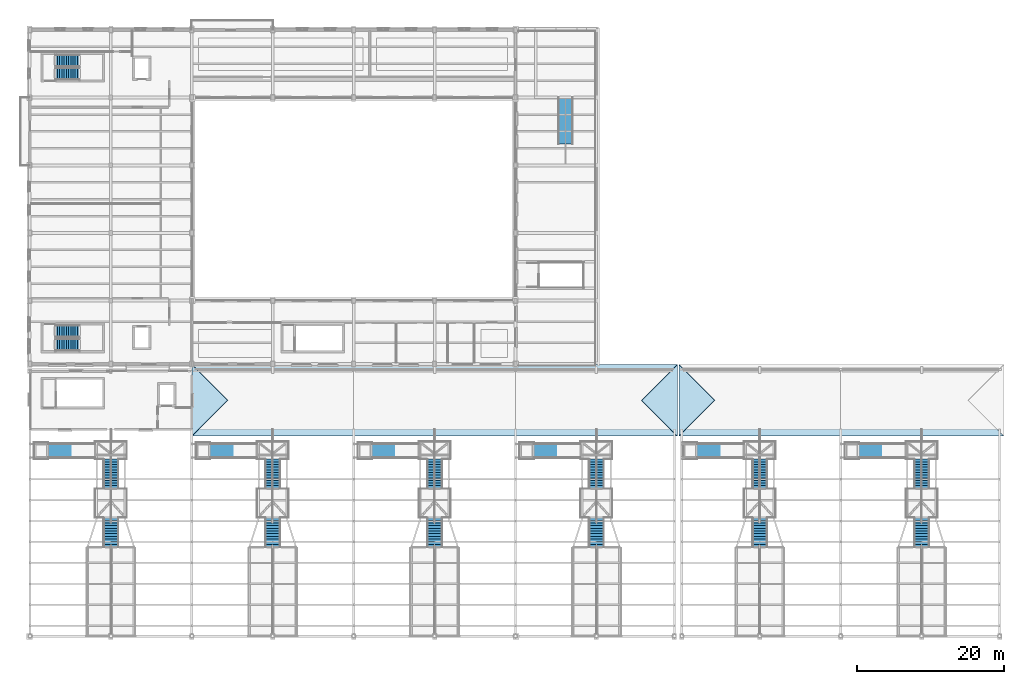
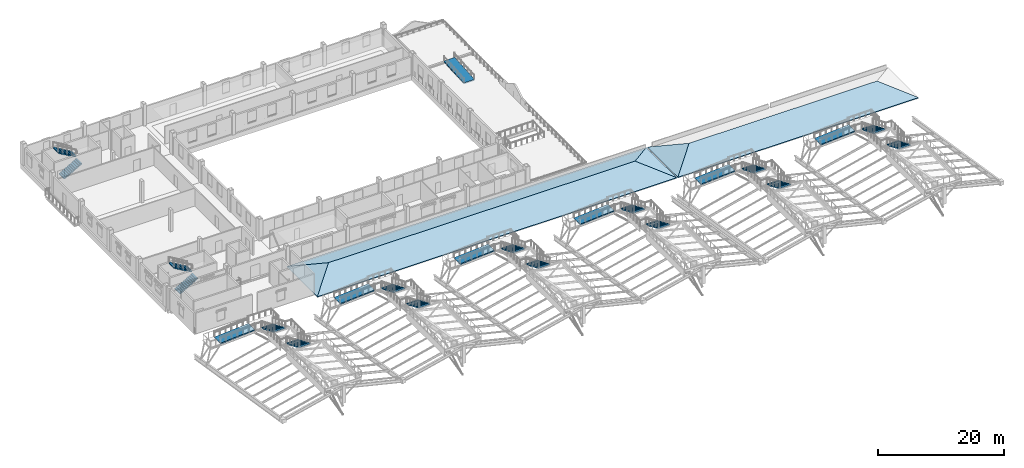
# One storey, part 28 of 43: 16 stair flights, 7 ramp flights, 6 roofs, 15 elements without a shape of their own.
"""IFC4 building model written with IfcOpenShell, lengths in metres."""

from ifc_helpers import new_model, si_unit, direction, frame, origin, place, context, subcontext, project, spatial, polyline, outline, extrude, material, layer, layer_set, type_object, element, aggregate, save


model = new_model("IFC4")

# Units and contexts
model_context = context("Model", 3, precision=1e-05, world=origin(), true_north=direction((0.0, 1.0)))
body_context = subcontext(model_context, "Body", "Model", "MODEL_VIEW")
ifc_project = project(units=[si_unit("LENGTHUNIT", "METRE"), si_unit("AREAUNIT", "SQUARE_METRE"), si_unit("VOLUMEUNIT", "CUBIC_METRE"), si_unit("PLANEANGLEUNIT", "RADIAN"), si_unit("MASSUNIT", "GRAM", prefix="KILO")], contexts=[model_context])

# Site, building, storey
site_placement = place(None, origin())
site = spatial("IfcSite", under=ifc_project, at=site_placement, CompositionType="ELEMENT")
building_placement = place(site_placement, origin())
building = spatial("IfcBuilding", under=site, at=building_placement, Name="Caurita Quay Ferry Terminal", CompositionType="ELEMENT")
storey_placement = place(building_placement, frame((0.0, 0.0, 14.10009765625)))
storey = spatial("IfcBuildingStorey", under=building, at=storey_placement, Name="L03", CompositionType="ELEMENT", Elevation=14.10009765625)

# Stair, stair flights
ifc_material_1 = material(Name="Reinforced concrete C35/45", Category="concrete")
stair_type_1 = type_object("IfcStairType", Name="STR-DL-03", PredefinedType="HALF_TURN_STAIR", material=ifc_material_1)
stair_1_placement = place(storey_placement, origin())
stair_1 = element("IfcStair", 1, at=stair_1_placement, inside=storey, type_object=stair_type_1, Name="L03 Protected Exit Stair ST-01", PredefinedType="HALF_TURN_STAIR")
stair_flight_type_1 = type_object("IfcStairFlightType", Name="FLT-DL-03", PredefinedType="STRAIGHT", material=ifc_material_1)
stair_flight_1_placement = place(storey_placement, frame((3.449951171875, 111.02490234375, 0.0), z_axis=(0.0, 0.0, 1.0), x_axis=(1.0, 0.0, 0.0)))
stair_flight_1 = element("IfcStairFlight", 2, at=stair_flight_1_placement, type_object=stair_flight_type_1, Name="ST-01 flight 1", NumberOfRisers=12, NumberOfTreads=11, PredefinedType="STRAIGHT", RiserHeight=0.175, TreadLength=0.3, context=body_context, shape_type="SweptSolid", body=[
    extrude(outline(polyline([(0.0, 0.0), (0.0, 0.175048828125), (0.300048828125, 0.175048828125), (0.300048828125, 0.35009765625), (0.60009765625, 0.35009765625), (0.60009765625, 0.52490234375), (0.89990234375, 0.52490234375), (0.89990234375, 0.699951171875), (1.199951171875, 0.699951171875), (1.199951171875, 0.875), (1.5, 0.875), (1.5, 1.050048828125), (1.800048828125, 1.050048828125), (1.800048828125, 1.22509765625), (2.10009765625, 1.22509765625), (2.10009765625, 1.39990234375), (2.39990234375, 1.39990234375), (2.39990234375, 1.574951171875), (2.699951171875, 1.574951171875), (2.699951171875, 1.75), (3.0, 1.75), (3.0, 1.925048828125), (3.300048828125, 1.925048828125), (3.300048828125, 2.10009765625), (3.300048828125, 1.75146484375), (0.297607421875, 0.0), (0.0, 0.0)])), frame((0.0, 0.824951171875, 0.0), z_axis=(0.0, -1.0, 0.0), x_axis=(1.0, 0.0, 0.0)), (0.0, 0.0, 1.0), 1.64990234375),
])
stair_flight_2_placement = place(storey_placement, frame((6.75, 112.8349609375, 2.099853515625), z_axis=(0.0, 0.0, 1.0), x_axis=(-1.0, 0.0, 0.0)))
stair_flight_2 = element("IfcStairFlight", 3, at=stair_flight_2_placement, type_object=stair_flight_type_1, Name="ST-01 flight 2", NumberOfRisers=12, NumberOfTreads=11, PredefinedType="STRAIGHT", RiserHeight=0.175, TreadLength=0.3, context=body_context, shape_type="SweptSolid", body=[
    extrude(outline(polyline([(0.0, 0.0), (0.0, 0.175048828125), (0.300048828125, 0.175048828125), (0.300048828125, 0.35009765625), (0.60009765625, 0.35009765625), (0.60009765625, 0.52490234375), (0.89990234375, 0.52490234375), (0.89990234375, 0.699951171875), (1.199951171875, 0.699951171875), (1.199951171875, 0.875), (1.5, 0.875), (1.5, 1.050048828125), (1.800048828125, 1.050048828125), (1.800048828125, 1.22509765625), (2.10009765625, 1.22509765625), (2.10009765625, 1.39990234375), (2.39990234375, 1.39990234375), (2.39990234375, 1.574951171875), (2.699951171875, 1.574951171875), (2.699951171875, 1.75), (3.0, 1.75), (3.0, 1.925048828125), (3.300048828125, 1.925048828125), (3.300048828125, 2.10009765625), (3.300048828125, 1.75146484375), (0.297607421875, 0.0), (0.0, 0.0)])), frame((0.0, 0.824951171875, 0.0), z_axis=(0.0, -1.0, 0.0), x_axis=(1.0, 0.0, 0.0)), (0.0, 0.0, 1.0), 1.64990234375),
])
aggregate(stair_1, [stair_flight_1, stair_flight_2])

stair_2_placement = place(storey_placement, origin())
stair_2 = element("IfcStair", 4, at=stair_2_placement, inside=storey, type_object=stair_type_1, Name="L03 Protected Exit Stair ST-02", PredefinedType="HALF_TURN_STAIR")
stair_flight_3_placement = place(storey_placement, frame((3.449951171875, 74.22509765625, 0.0), z_axis=(0.0, 0.0, 1.0), x_axis=(1.0, 0.0, 0.0)))
stair_flight_3 = element("IfcStairFlight", 5, at=stair_flight_3_placement, type_object=stair_flight_type_1, Name="ST-02 flight 1", NumberOfRisers=12, NumberOfTreads=11, PredefinedType="STRAIGHT", RiserHeight=0.175, TreadLength=0.3, context=body_context, shape_type="SweptSolid", body=[
    extrude(outline(polyline([(0.0, 0.0), (0.0, 0.175048828125), (0.300048828125, 0.175048828125), (0.300048828125, 0.35009765625), (0.60009765625, 0.35009765625), (0.60009765625, 0.52490234375), (0.89990234375, 0.52490234375), (0.89990234375, 0.699951171875), (1.199951171875, 0.699951171875), (1.199951171875, 0.875), (1.5, 0.875), (1.5, 1.050048828125), (1.800048828125, 1.050048828125), (1.800048828125, 1.22509765625), (2.10009765625, 1.22509765625), (2.10009765625, 1.39990234375), (2.39990234375, 1.39990234375), (2.39990234375, 1.574951171875), (2.699951171875, 1.574951171875), (2.699951171875, 1.75), (3.0, 1.75), (3.0, 1.925048828125), (3.300048828125, 1.925048828125), (3.300048828125, 2.10009765625), (3.300048828125, 1.75146484375), (0.297607421875, 0.0), (0.0, 0.0)])), frame((0.0, 0.824951171875, 0.0), z_axis=(0.0, -1.0, 0.0), x_axis=(1.0, 0.0, 0.0)), (0.0, 0.0, 1.0), 1.64990234375),
])
stair_flight_4_placement = place(storey_placement, frame((6.75, 76.034912109375, 2.099853515625), z_axis=(0.0, 0.0, 1.0), x_axis=(-1.0, 0.0, 0.0)))
stair_flight_4 = element("IfcStairFlight", 6, at=stair_flight_4_placement, type_object=stair_flight_type_1, Name="ST-02 flight 2", NumberOfRisers=12, NumberOfTreads=11, PredefinedType="STRAIGHT", RiserHeight=0.175, TreadLength=0.3, context=body_context, shape_type="SweptSolid", body=[
    extrude(outline(polyline([(0.0, 0.0), (0.0, 0.175048828125), (0.300048828125, 0.175048828125), (0.300048828125, 0.35009765625), (0.60009765625, 0.35009765625), (0.60009765625, 0.52490234375), (0.89990234375, 0.52490234375), (0.89990234375, 0.699951171875), (1.199951171875, 0.699951171875), (1.199951171875, 0.875), (1.5, 0.875), (1.5, 1.050048828125), (1.800048828125, 1.050048828125), (1.800048828125, 1.22509765625), (2.10009765625, 1.22509765625), (2.10009765625, 1.39990234375), (2.39990234375, 1.39990234375), (2.39990234375, 1.574951171875), (2.699951171875, 1.574951171875), (2.699951171875, 1.75), (3.0, 1.75), (3.0, 1.925048828125), (3.300048828125, 1.925048828125), (3.300048828125, 2.10009765625), (3.300048828125, 1.75146484375), (0.297607421875, 0.0), (0.0, 0.0)])), frame((0.0, 0.824951171875, 0.0), z_axis=(0.0, -1.0, 0.0), x_axis=(1.0, 0.0, 0.0)), (0.0, 0.0, 1.0), 1.64990234375),
])
aggregate(stair_2, [stair_flight_3, stair_flight_4])

stair_type_2 = type_object("IfcStairType", Name="STR-PK-01", PredefinedType="STRAIGHT_RUN_STAIR", material=ifc_material_1)
stair_3_placement = place(storey_placement, origin())
stair_3 = element("IfcStair", 7, at=stair_3_placement, inside=storey, type_object=stair_type_2, Name="Folded Roof Bay 1 Lookout Stair ST-15", PredefinedType="STRAIGHT_RUN_STAIR")
stair_flight_type_2 = type_object("IfcStairFlightType", Name="FLT-PK-01", PredefinedType="STRAIGHT", material=ifc_material_1)
stair_flight_5_placement = place(storey_placement, frame((11.0, 58.64990234375, 0.099853515625), z_axis=(0.0, 0.0, 1.0), x_axis=(0.0, -1.0, 0.0)))
stair_flight_5 = element("IfcStairFlight", 8, at=stair_flight_5_placement, type_object=stair_flight_type_2, Name="ST-15 flight 1", NumberOfRisers=12, NumberOfTreads=11, PredefinedType="STRAIGHT", RiserHeight=0.15, TreadLength=0.36, context=body_context, shape_type="SweptSolid", body=[
    extrude(outline(polyline([(0.0, 0.0), (0.0, 0.14990234375), (0.360107421875, 0.14990234375), (0.360107421875, 0.300048828125), (0.719970703125, 0.300048828125), (0.719970703125, 0.449951171875), (1.080078125, 0.449951171875), (1.080078125, 0.60009765625), (1.43994140625, 0.60009765625), (1.43994140625, 0.75), (1.800048828125, 0.75), (1.800048828125, 0.89990234375), (2.159912109375, 0.89990234375), (2.159912109375, 1.050048828125), (2.52001953125, 1.050048828125), (2.52001953125, 1.199951171875), (2.8798828125, 1.199951171875), (2.8798828125, 1.35009765625), (3.239990234375, 1.35009765625), (3.239990234375, 1.5), (3.60009765625, 1.5), (3.60009765625, 1.64990234375), (3.9599609375, 1.64990234375), (3.9599609375, 1.800048828125), (3.9599609375, 1.476806640625), (0.415771484375, 0.0), (0.0, 0.0)])), frame((0.0, 1.050048828125, 0.0), z_axis=(0.0, -1.0, 0.0), x_axis=(1.0, 0.0, 0.0)), (0.0, 0.0, 1.0), 2.10009765625),
])
stair_flight_6_placement = place(storey_placement, frame((11.0, 50.68994140625, 1.89990234375), z_axis=(0.0, 0.0, 1.0), x_axis=(0.0, -1.0, 0.0)))
stair_flight_6 = element("IfcStairFlight", 9, at=stair_flight_6_placement, type_object=stair_flight_type_2, Name="ST-15 flight 2", NumberOfRisers=12, NumberOfTreads=11, PredefinedType="STRAIGHT", RiserHeight=0.15, TreadLength=0.36, context=body_context, shape_type="SweptSolid", body=[
    extrude(outline(polyline([(0.0, 0.0), (0.0, 0.14990234375), (0.360107421875, 0.14990234375), (0.360107421875, 0.300048828125), (0.719970703125, 0.300048828125), (0.719970703125, 0.449951171875), (1.080078125, 0.449951171875), (1.080078125, 0.60009765625), (1.43994140625, 0.60009765625), (1.43994140625, 0.75), (1.800048828125, 0.75), (1.800048828125, 0.89990234375), (2.159912109375, 0.89990234375), (2.159912109375, 1.050048828125), (2.52001953125, 1.050048828125), (2.52001953125, 1.199951171875), (2.8798828125, 1.199951171875), (2.8798828125, 1.35009765625), (3.239990234375, 1.35009765625), (3.239990234375, 1.5), (3.60009765625, 1.5), (3.60009765625, 1.64990234375), (3.9599609375, 1.64990234375), (3.9599609375, 1.800048828125), (3.9599609375, 1.476806640625), (0.415771484375, 0.0), (0.0, 0.0)])), frame((0.0, 1.050048828125, 0.0), z_axis=(0.0, -1.0, 0.0), x_axis=(1.0, 0.0, 0.0)), (0.0, 0.0, 1.0), 2.10009765625),
])
aggregate(stair_3, [stair_flight_5, stair_flight_6])

stair_4_placement = place(storey_placement, origin())
stair_4 = element("IfcStair", 10, at=stair_4_placement, inside=storey, type_object=stair_type_2, Name="Folded Roof Bay 2 Lookout Stair ST-16", PredefinedType="STRAIGHT_RUN_STAIR")
stair_flight_7_placement = place(storey_placement, frame((33.0, 58.64990234375, 0.099853515625), z_axis=(0.0, 0.0, 1.0), x_axis=(0.0, -1.0, 0.0)))
stair_flight_7 = element("IfcStairFlight", 11, at=stair_flight_7_placement, type_object=stair_flight_type_2, Name="ST-16 flight 1", NumberOfRisers=12, NumberOfTreads=11, PredefinedType="STRAIGHT", RiserHeight=0.15, TreadLength=0.36, context=body_context, shape_type="SweptSolid", body=[
    extrude(outline(polyline([(0.0, 0.0), (0.0, 0.14990234375), (0.360107421875, 0.14990234375), (0.360107421875, 0.300048828125), (0.719970703125, 0.300048828125), (0.719970703125, 0.449951171875), (1.080078125, 0.449951171875), (1.080078125, 0.60009765625), (1.43994140625, 0.60009765625), (1.43994140625, 0.75), (1.800048828125, 0.75), (1.800048828125, 0.89990234375), (2.159912109375, 0.89990234375), (2.159912109375, 1.050048828125), (2.52001953125, 1.050048828125), (2.52001953125, 1.199951171875), (2.8798828125, 1.199951171875), (2.8798828125, 1.35009765625), (3.239990234375, 1.35009765625), (3.239990234375, 1.5), (3.60009765625, 1.5), (3.60009765625, 1.64990234375), (3.9599609375, 1.64990234375), (3.9599609375, 1.800048828125), (3.9599609375, 1.476806640625), (0.415771484375, 0.0), (0.0, 0.0)])), frame((0.0, 1.050048828125, 0.0), z_axis=(0.0, -1.0, 0.0), x_axis=(1.0, 0.0, 0.0)), (0.0, 0.0, 1.0), 2.10009765625),
])
stair_flight_8_placement = place(storey_placement, frame((33.0, 50.68994140625, 1.89990234375), z_axis=(0.0, 0.0, 1.0), x_axis=(0.0, -1.0, 0.0)))
stair_flight_8 = element("IfcStairFlight", 12, at=stair_flight_8_placement, type_object=stair_flight_type_2, Name="ST-16 flight 2", NumberOfRisers=12, NumberOfTreads=11, PredefinedType="STRAIGHT", RiserHeight=0.15, TreadLength=0.36, context=body_context, shape_type="SweptSolid", body=[
    extrude(outline(polyline([(0.0, 0.0), (0.0, 0.14990234375), (0.360107421875, 0.14990234375), (0.360107421875, 0.300048828125), (0.719970703125, 0.300048828125), (0.719970703125, 0.449951171875), (1.080078125, 0.449951171875), (1.080078125, 0.60009765625), (1.43994140625, 0.60009765625), (1.43994140625, 0.75), (1.800048828125, 0.75), (1.800048828125, 0.89990234375), (2.159912109375, 0.89990234375), (2.159912109375, 1.050048828125), (2.52001953125, 1.050048828125), (2.52001953125, 1.199951171875), (2.8798828125, 1.199951171875), (2.8798828125, 1.35009765625), (3.239990234375, 1.35009765625), (3.239990234375, 1.5), (3.60009765625, 1.5), (3.60009765625, 1.64990234375), (3.9599609375, 1.64990234375), (3.9599609375, 1.800048828125), (3.9599609375, 1.476806640625), (0.415771484375, 0.0), (0.0, 0.0)])), frame((0.0, 1.050048828125, 0.0), z_axis=(0.0, -1.0, 0.0), x_axis=(1.0, 0.0, 0.0)), (0.0, 0.0, 1.0), 2.10009765625),
])
aggregate(stair_4, [stair_flight_7, stair_flight_8])

stair_5_placement = place(storey_placement, origin())
stair_5 = element("IfcStair", 13, at=stair_5_placement, inside=storey, type_object=stair_type_2, Name="Folded Roof Bay 3 Lookout Stair ST-17", PredefinedType="STRAIGHT_RUN_STAIR")
stair_flight_9_placement = place(storey_placement, frame((55.0, 58.64990234375, 0.099853515625), z_axis=(0.0, 0.0, 1.0), x_axis=(0.0, -1.0, 0.0)))
stair_flight_9 = element("IfcStairFlight", 14, at=stair_flight_9_placement, type_object=stair_flight_type_2, Name="ST-17 flight 1", NumberOfRisers=12, NumberOfTreads=11, PredefinedType="STRAIGHT", RiserHeight=0.15, TreadLength=0.36, context=body_context, shape_type="SweptSolid", body=[
    extrude(outline(polyline([(0.0, 0.0), (0.0, 0.14990234375), (0.360107421875, 0.14990234375), (0.360107421875, 0.300048828125), (0.719970703125, 0.300048828125), (0.719970703125, 0.449951171875), (1.080078125, 0.449951171875), (1.080078125, 0.60009765625), (1.43994140625, 0.60009765625), (1.43994140625, 0.75), (1.800048828125, 0.75), (1.800048828125, 0.89990234375), (2.159912109375, 0.89990234375), (2.159912109375, 1.050048828125), (2.52001953125, 1.050048828125), (2.52001953125, 1.199951171875), (2.8798828125, 1.199951171875), (2.8798828125, 1.35009765625), (3.239990234375, 1.35009765625), (3.239990234375, 1.5), (3.60009765625, 1.5), (3.60009765625, 1.64990234375), (3.9599609375, 1.64990234375), (3.9599609375, 1.800048828125), (3.9599609375, 1.476806640625), (0.415771484375, 0.0), (0.0, 0.0)])), frame((0.0, 1.050048828125, 0.0), z_axis=(0.0, -1.0, 0.0), x_axis=(1.0, 0.0, 0.0)), (0.0, 0.0, 1.0), 2.10009765625),
])
stair_flight_10_placement = place(storey_placement, frame((55.0, 50.68994140625, 1.89990234375), z_axis=(0.0, 0.0, 1.0), x_axis=(0.0, -1.0, 0.0)))
stair_flight_10 = element("IfcStairFlight", 15, at=stair_flight_10_placement, type_object=stair_flight_type_2, Name="ST-17 flight 2", NumberOfRisers=12, NumberOfTreads=11, PredefinedType="STRAIGHT", RiserHeight=0.15, TreadLength=0.36, context=body_context, shape_type="SweptSolid", body=[
    extrude(outline(polyline([(0.0, 0.0), (0.0, 0.14990234375), (0.360107421875, 0.14990234375), (0.360107421875, 0.300048828125), (0.719970703125, 0.300048828125), (0.719970703125, 0.449951171875), (1.080078125, 0.449951171875), (1.080078125, 0.60009765625), (1.43994140625, 0.60009765625), (1.43994140625, 0.75), (1.800048828125, 0.75), (1.800048828125, 0.89990234375), (2.159912109375, 0.89990234375), (2.159912109375, 1.050048828125), (2.52001953125, 1.050048828125), (2.52001953125, 1.199951171875), (2.8798828125, 1.199951171875), (2.8798828125, 1.35009765625), (3.239990234375, 1.35009765625), (3.239990234375, 1.5), (3.60009765625, 1.5), (3.60009765625, 1.64990234375), (3.9599609375, 1.64990234375), (3.9599609375, 1.800048828125), (3.9599609375, 1.476806640625), (0.415771484375, 0.0), (0.0, 0.0)])), frame((0.0, 1.050048828125, 0.0), z_axis=(0.0, -1.0, 0.0), x_axis=(1.0, 0.0, 0.0)), (0.0, 0.0, 1.0), 2.10009765625),
])
aggregate(stair_5, [stair_flight_9, stair_flight_10])

stair_6_placement = place(storey_placement, origin())
stair_6 = element("IfcStair", 16, at=stair_6_placement, inside=storey, type_object=stair_type_2, Name="Folded Roof Bay 4 Lookout Stair ST-18", PredefinedType="STRAIGHT_RUN_STAIR")
stair_flight_11_placement = place(storey_placement, frame((77.0, 58.64990234375, 0.099853515625), z_axis=(0.0, 0.0, 1.0), x_axis=(0.0, -1.0, 0.0)))
stair_flight_11 = element("IfcStairFlight", 17, at=stair_flight_11_placement, type_object=stair_flight_type_2, Name="ST-18 flight 1", NumberOfRisers=12, NumberOfTreads=11, PredefinedType="STRAIGHT", RiserHeight=0.15, TreadLength=0.36, context=body_context, shape_type="SweptSolid", body=[
    extrude(outline(polyline([(0.0, 0.0), (0.0, 0.14990234375), (0.360107421875, 0.14990234375), (0.360107421875, 0.300048828125), (0.719970703125, 0.300048828125), (0.719970703125, 0.449951171875), (1.080078125, 0.449951171875), (1.080078125, 0.60009765625), (1.43994140625, 0.60009765625), (1.43994140625, 0.75), (1.800048828125, 0.75), (1.800048828125, 0.89990234375), (2.159912109375, 0.89990234375), (2.159912109375, 1.050048828125), (2.52001953125, 1.050048828125), (2.52001953125, 1.199951171875), (2.8798828125, 1.199951171875), (2.8798828125, 1.35009765625), (3.239990234375, 1.35009765625), (3.239990234375, 1.5), (3.60009765625, 1.5), (3.60009765625, 1.64990234375), (3.9599609375, 1.64990234375), (3.9599609375, 1.800048828125), (3.9599609375, 1.476806640625), (0.415771484375, 0.0), (0.0, 0.0)])), frame((0.0, 1.050048828125, 0.0), z_axis=(0.0, -1.0, 0.0), x_axis=(1.0, 0.0, 0.0)), (0.0, 0.0, 1.0), 2.10009765625),
])
stair_flight_12_placement = place(storey_placement, frame((77.0, 50.68994140625, 1.89990234375), z_axis=(0.0, 0.0, 1.0), x_axis=(0.0, -1.0, 0.0)))
stair_flight_12 = element("IfcStairFlight", 18, at=stair_flight_12_placement, type_object=stair_flight_type_2, Name="ST-18 flight 2", NumberOfRisers=12, NumberOfTreads=11, PredefinedType="STRAIGHT", RiserHeight=0.15, TreadLength=0.36, context=body_context, shape_type="SweptSolid", body=[
    extrude(outline(polyline([(0.0, 0.0), (0.0, 0.14990234375), (0.360107421875, 0.14990234375), (0.360107421875, 0.300048828125), (0.719970703125, 0.300048828125), (0.719970703125, 0.449951171875), (1.080078125, 0.449951171875), (1.080078125, 0.60009765625), (1.43994140625, 0.60009765625), (1.43994140625, 0.75), (1.800048828125, 0.75), (1.800048828125, 0.89990234375), (2.159912109375, 0.89990234375), (2.159912109375, 1.050048828125), (2.52001953125, 1.050048828125), (2.52001953125, 1.199951171875), (2.8798828125, 1.199951171875), (2.8798828125, 1.35009765625), (3.239990234375, 1.35009765625), (3.239990234375, 1.5), (3.60009765625, 1.5), (3.60009765625, 1.64990234375), (3.9599609375, 1.64990234375), (3.9599609375, 1.800048828125), (3.9599609375, 1.476806640625), (0.415771484375, 0.0), (0.0, 0.0)])), frame((0.0, 1.050048828125, 0.0), z_axis=(0.0, -1.0, 0.0), x_axis=(1.0, 0.0, 0.0)), (0.0, 0.0, 1.0), 2.10009765625),
])
aggregate(stair_6, [stair_flight_11, stair_flight_12])

stair_7_placement = place(storey_placement, origin())
stair_7 = element("IfcStair", 19, at=stair_7_placement, inside=storey, type_object=stair_type_2, Name="Folded Roof Bay 5 Lookout Stair ST-19", PredefinedType="STRAIGHT_RUN_STAIR")
stair_flight_13_placement = place(storey_placement, frame((99.199951171875, 58.64990234375, 0.099853515625), z_axis=(0.0, 0.0, 1.0), x_axis=(0.0, -1.0, 0.0)))
stair_flight_13 = element("IfcStairFlight", 20, at=stair_flight_13_placement, type_object=stair_flight_type_2, Name="ST-19 flight 1", NumberOfRisers=12, NumberOfTreads=11, PredefinedType="STRAIGHT", RiserHeight=0.15, TreadLength=0.36, context=body_context, shape_type="SweptSolid", body=[
    extrude(outline(polyline([(0.0, 0.0), (0.0, 0.14990234375), (0.360107421875, 0.14990234375), (0.360107421875, 0.300048828125), (0.719970703125, 0.300048828125), (0.719970703125, 0.449951171875), (1.080078125, 0.449951171875), (1.080078125, 0.60009765625), (1.43994140625, 0.60009765625), (1.43994140625, 0.75), (1.800048828125, 0.75), (1.800048828125, 0.89990234375), (2.159912109375, 0.89990234375), (2.159912109375, 1.050048828125), (2.52001953125, 1.050048828125), (2.52001953125, 1.199951171875), (2.8798828125, 1.199951171875), (2.8798828125, 1.35009765625), (3.239990234375, 1.35009765625), (3.239990234375, 1.5), (3.60009765625, 1.5), (3.60009765625, 1.64990234375), (3.9599609375, 1.64990234375), (3.9599609375, 1.800048828125), (3.9599609375, 1.476806640625), (0.415771484375, 0.0), (0.0, 0.0)])), frame((0.0, 1.050048828125, 0.0), z_axis=(0.0, -1.0, 0.0), x_axis=(1.0, 0.0, 0.0)), (0.0, 0.0, 1.0), 2.10009765625),
])
stair_flight_14_placement = place(storey_placement, frame((99.199951171875, 50.68994140625, 1.89990234375), z_axis=(0.0, 0.0, 1.0), x_axis=(0.0, -1.0, 0.0)))
stair_flight_14 = element("IfcStairFlight", 21, at=stair_flight_14_placement, type_object=stair_flight_type_2, Name="ST-19 flight 2", NumberOfRisers=12, NumberOfTreads=11, PredefinedType="STRAIGHT", RiserHeight=0.15, TreadLength=0.36, context=body_context, shape_type="SweptSolid", body=[
    extrude(outline(polyline([(0.0, 0.0), (0.0, 0.14990234375), (0.360107421875, 0.14990234375), (0.360107421875, 0.300048828125), (0.719970703125, 0.300048828125), (0.719970703125, 0.449951171875), (1.080078125, 0.449951171875), (1.080078125, 0.60009765625), (1.43994140625, 0.60009765625), (1.43994140625, 0.75), (1.800048828125, 0.75), (1.800048828125, 0.89990234375), (2.159912109375, 0.89990234375), (2.159912109375, 1.050048828125), (2.52001953125, 1.050048828125), (2.52001953125, 1.199951171875), (2.8798828125, 1.199951171875), (2.8798828125, 1.35009765625), (3.239990234375, 1.35009765625), (3.239990234375, 1.5), (3.60009765625, 1.5), (3.60009765625, 1.64990234375), (3.9599609375, 1.64990234375), (3.9599609375, 1.800048828125), (3.9599609375, 1.476806640625), (0.415771484375, 0.0), (0.0, 0.0)])), frame((0.0, 1.050048828125, 0.0), z_axis=(0.0, -1.0, 0.0), x_axis=(1.0, 0.0, 0.0)), (0.0, 0.0, 1.0), 2.10009765625),
])
aggregate(stair_7, [stair_flight_13, stair_flight_14])

stair_8_placement = place(storey_placement, origin())
stair_8 = element("IfcStair", 22, at=stair_8_placement, inside=storey, type_object=stair_type_2, Name="Folded Roof Bay 6 Lookout Stair ST-20", PredefinedType="STRAIGHT_RUN_STAIR")
stair_flight_15_placement = place(storey_placement, frame((121.199951171875, 58.64990234375, 0.099853515625), z_axis=(0.0, 0.0, 1.0), x_axis=(0.0, -1.0, 0.0)))
stair_flight_15 = element("IfcStairFlight", 23, at=stair_flight_15_placement, type_object=stair_flight_type_2, Name="ST-20 flight 1", NumberOfRisers=12, NumberOfTreads=11, PredefinedType="STRAIGHT", RiserHeight=0.15, TreadLength=0.36, context=body_context, shape_type="SweptSolid", body=[
    extrude(outline(polyline([(0.0, 0.0), (0.0, 0.14990234375), (0.360107421875, 0.14990234375), (0.360107421875, 0.300048828125), (0.719970703125, 0.300048828125), (0.719970703125, 0.449951171875), (1.080078125, 0.449951171875), (1.080078125, 0.60009765625), (1.43994140625, 0.60009765625), (1.43994140625, 0.75), (1.800048828125, 0.75), (1.800048828125, 0.89990234375), (2.159912109375, 0.89990234375), (2.159912109375, 1.050048828125), (2.52001953125, 1.050048828125), (2.52001953125, 1.199951171875), (2.8798828125, 1.199951171875), (2.8798828125, 1.35009765625), (3.239990234375, 1.35009765625), (3.239990234375, 1.5), (3.60009765625, 1.5), (3.60009765625, 1.64990234375), (3.9599609375, 1.64990234375), (3.9599609375, 1.800048828125), (3.9599609375, 1.476806640625), (0.415771484375, 0.0), (0.0, 0.0)])), frame((0.0, 1.050048828125, 0.0), z_axis=(0.0, -1.0, 0.0), x_axis=(1.0, 0.0, 0.0)), (0.0, 0.0, 1.0), 2.10009765625),
])
stair_flight_16_placement = place(storey_placement, frame((121.199951171875, 50.68994140625, 1.89990234375), z_axis=(0.0, 0.0, 1.0), x_axis=(0.0, -1.0, 0.0)))
stair_flight_16 = element("IfcStairFlight", 24, at=stair_flight_16_placement, type_object=stair_flight_type_2, Name="ST-20 flight 2", NumberOfRisers=12, NumberOfTreads=11, PredefinedType="STRAIGHT", RiserHeight=0.15, TreadLength=0.36, context=body_context, shape_type="SweptSolid", body=[
    extrude(outline(polyline([(0.0, 0.0), (0.0, 0.14990234375), (0.360107421875, 0.14990234375), (0.360107421875, 0.300048828125), (0.719970703125, 0.300048828125), (0.719970703125, 0.449951171875), (1.080078125, 0.449951171875), (1.080078125, 0.60009765625), (1.43994140625, 0.60009765625), (1.43994140625, 0.75), (1.800048828125, 0.75), (1.800048828125, 0.89990234375), (2.159912109375, 0.89990234375), (2.159912109375, 1.050048828125), (2.52001953125, 1.050048828125), (2.52001953125, 1.199951171875), (2.8798828125, 1.199951171875), (2.8798828125, 1.35009765625), (3.239990234375, 1.35009765625), (3.239990234375, 1.5), (3.60009765625, 1.5), (3.60009765625, 1.64990234375), (3.9599609375, 1.64990234375), (3.9599609375, 1.800048828125), (3.9599609375, 1.476806640625), (0.415771484375, 0.0), (0.0, 0.0)])), frame((0.0, 1.050048828125, 0.0), z_axis=(0.0, -1.0, 0.0), x_axis=(1.0, 0.0, 0.0)), (0.0, 0.0, 1.0), 2.10009765625),
])
aggregate(stair_8, [stair_flight_15, stair_flight_16])

# Ramp, ramp flight
ramp_type = type_object("IfcRampType", Name="RMP-ASM-3", PredefinedType="STRAIGHT_RUN_RAMP", material=ifc_material_1)
ramp_1_placement = place(storey_placement, origin())
ramp_1 = element("IfcRamp", 25, at=ramp_1_placement, inside=storey, type_object=ramp_type, Name="Waterside Lookout Accessible Slope Ramp", PredefinedType="STRAIGHT_RUN_RAMP")
ramp_flight_type = type_object("IfcRampFlightType", Name="RMP-FLT-3", PredefinedType="STRAIGHT", material=ifc_material_1)
ramp_flight_1_placement = place(storey_placement, frame((72.800048828125, 101.5, 0.0), z_axis=(0.0, 0.0, 1.0), x_axis=(0.0, 1.0, 0.0)))
ramp_flight_1 = element("IfcRampFlight", 26, at=ramp_flight_1_placement, type_object=ramp_flight_type, Name="Waterside Lookout Accessible Slope Ramp Flight 1", PredefinedType="STRAIGHT", context=body_context, shape_type="SweptSolid", body=[
    extrude(outline(polyline([(0.0, 0.0), (0.0, -0.219970703125), (6.300048828125, 0.22998046875), (6.300048828125, 0.449951171875), (0.0, 0.0)])), frame((0.0, 1.0, 0.0), z_axis=(0.0, -1.0, 0.0), x_axis=(1.0, 0.0, 0.0)), (0.0, 0.0, 1.0), 2.0),
])
aggregate(ramp_1, [ramp_flight_1])

ramp_2_placement = place(storey_placement, origin())
ramp_2 = element("IfcRamp", 27, at=ramp_2_placement, inside=storey, type_object=ramp_type, Name="Folded Roof Bay 1 Accessible Lookout Ramp", PredefinedType="STRAIGHT_RUN_RAMP")
ramp_flight_2_placement = place(storey_placement, frame((2.5, 59.800048828125, -0.35009765625), z_axis=(0.0, 0.0, 1.0), x_axis=(1.0, 0.0, 0.0)))
ramp_flight_2 = element("IfcRampFlight", 28, at=ramp_flight_2_placement, type_object=ramp_flight_type, Name="Folded Roof Bay 1 Accessible Lookout Ramp Flight 1", PredefinedType="STRAIGHT", context=body_context, shape_type="SweptSolid", body=[
    extrude(outline(polyline([(0.0, 0.0), (0.0, -0.219970703125), (6.300048828125, 0.22998046875), (6.300048828125, 0.449951171875), (0.0, 0.0)])), frame((0.0, 1.0, 0.0), z_axis=(0.0, -1.0, 0.0), x_axis=(1.0, 0.0, 0.0)), (0.0, 0.0, 1.0), 2.0),
])
aggregate(ramp_2, [ramp_flight_2])

ramp_3_placement = place(storey_placement, origin())
ramp_3 = element("IfcRamp", 29, at=ramp_3_placement, inside=storey, type_object=ramp_type, Name="Folded Roof Bay 2 Accessible Lookout Ramp", PredefinedType="STRAIGHT_RUN_RAMP")
ramp_flight_3_placement = place(storey_placement, frame((24.5, 59.800048828125, -0.35009765625), z_axis=(0.0, 0.0, 1.0), x_axis=(1.0, 0.0, 0.0)))
ramp_flight_3 = element("IfcRampFlight", 30, at=ramp_flight_3_placement, type_object=ramp_flight_type, Name="Folded Roof Bay 2 Accessible Lookout Ramp Flight 1", PredefinedType="STRAIGHT", context=body_context, shape_type="SweptSolid", body=[
    extrude(outline(polyline([(0.0, 0.0), (0.0, -0.219970703125), (6.300048828125, 0.22998046875), (6.300048828125, 0.449951171875), (0.0, 0.0)])), frame((0.0, 1.0, 0.0), z_axis=(0.0, -1.0, 0.0), x_axis=(1.0, 0.0, 0.0)), (0.0, 0.0, 1.0), 2.0),
])
aggregate(ramp_3, [ramp_flight_3])

ramp_4_placement = place(storey_placement, origin())
ramp_4 = element("IfcRamp", 31, at=ramp_4_placement, inside=storey, type_object=ramp_type, Name="Folded Roof Bay 3 Accessible Lookout Ramp", PredefinedType="STRAIGHT_RUN_RAMP")
ramp_flight_4_placement = place(storey_placement, frame((46.5, 59.800048828125, -0.35009765625), z_axis=(0.0, 0.0, 1.0), x_axis=(1.0, 0.0, 0.0)))
ramp_flight_4 = element("IfcRampFlight", 32, at=ramp_flight_4_placement, type_object=ramp_flight_type, Name="Folded Roof Bay 3 Accessible Lookout Ramp Flight 1", PredefinedType="STRAIGHT", context=body_context, shape_type="SweptSolid", body=[
    extrude(outline(polyline([(0.0, 0.0), (0.0, -0.219970703125), (6.300048828125, 0.22998046875), (6.300048828125, 0.449951171875), (0.0, 0.0)])), frame((0.0, 1.0, 0.0), z_axis=(0.0, -1.0, 0.0), x_axis=(1.0, 0.0, 0.0)), (0.0, 0.0, 1.0), 2.0),
])
aggregate(ramp_4, [ramp_flight_4])

ramp_5_placement = place(storey_placement, origin())
ramp_5 = element("IfcRamp", 33, at=ramp_5_placement, inside=storey, type_object=ramp_type, Name="Folded Roof Bay 4 Accessible Lookout Ramp", PredefinedType="STRAIGHT_RUN_RAMP")
ramp_flight_5_placement = place(storey_placement, frame((68.5, 59.800048828125, -0.35009765625), z_axis=(0.0, 0.0, 1.0), x_axis=(1.0, 0.0, 0.0)))
ramp_flight_5 = element("IfcRampFlight", 34, at=ramp_flight_5_placement, type_object=ramp_flight_type, Name="Folded Roof Bay 4 Accessible Lookout Ramp Flight 1", PredefinedType="STRAIGHT", context=body_context, shape_type="SweptSolid", body=[
    extrude(outline(polyline([(0.0, 0.0), (0.0, -0.219970703125), (6.300048828125, 0.22998046875), (6.300048828125, 0.449951171875), (0.0, 0.0)])), frame((0.0, 1.0, 0.0), z_axis=(0.0, -1.0, 0.0), x_axis=(1.0, 0.0, 0.0)), (0.0, 0.0, 1.0), 2.0),
])
aggregate(ramp_5, [ramp_flight_5])

ramp_6_placement = place(storey_placement, origin())
ramp_6 = element("IfcRamp", 35, at=ramp_6_placement, inside=storey, type_object=ramp_type, Name="Folded Roof Bay 5 Accessible Lookout Ramp", PredefinedType="STRAIGHT_RUN_RAMP")
ramp_flight_6_placement = place(storey_placement, frame((90.699951171875, 59.800048828125, -0.35009765625), z_axis=(0.0, 0.0, 1.0), x_axis=(1.0, 0.0, 0.0)))
ramp_flight_6 = element("IfcRampFlight", 36, at=ramp_flight_6_placement, type_object=ramp_flight_type, Name="Folded Roof Bay 5 Accessible Lookout Ramp Flight 1", PredefinedType="STRAIGHT", context=body_context, shape_type="SweptSolid", body=[
    extrude(outline(polyline([(0.0, 0.0), (0.0, -0.219970703125), (6.300048828125, 0.22998046875), (6.300048828125, 0.449951171875), (0.0, 0.0)])), frame((0.0, 1.0, 0.0), z_axis=(0.0, -1.0, 0.0), x_axis=(1.0, 0.0, 0.0)), (0.0, 0.0, 1.0), 2.0),
])
aggregate(ramp_6, [ramp_flight_6])

ramp_7_placement = place(storey_placement, origin())
ramp_7 = element("IfcRamp", 37, at=ramp_7_placement, inside=storey, type_object=ramp_type, Name="Folded Roof Bay 6 Accessible Lookout Ramp", PredefinedType="STRAIGHT_RUN_RAMP")
ramp_flight_7_placement = place(storey_placement, frame((112.699951171875, 59.800048828125, -0.35009765625), z_axis=(0.0, 0.0, 1.0), x_axis=(1.0, 0.0, 0.0)))
ramp_flight_7 = element("IfcRampFlight", 38, at=ramp_flight_7_placement, type_object=ramp_flight_type, Name="Folded Roof Bay 6 Accessible Lookout Ramp Flight 1", PredefinedType="STRAIGHT", context=body_context, shape_type="SweptSolid", body=[
    extrude(outline(polyline([(0.0, 0.0), (0.0, -0.219970703125), (6.300048828125, 0.22998046875), (6.300048828125, 0.449951171875), (0.0, 0.0)])), frame((0.0, 1.0, 0.0), z_axis=(0.0, -1.0, 0.0), x_axis=(1.0, 0.0, 0.0)), (0.0, 0.0, 1.0), 2.0),
])
aggregate(ramp_7, [ramp_flight_7])

# Roofs
ifc_material_2 = material(Name="Terracotta clay barrel tile", Category="masonry")
ifc_layer = layer(ifc_material_2, 0.219970703125, Name="Spanish Colonial Revival pitched terracotta barrel-tile hipped roof")
ifc_layer_set = layer_set([ifc_layer], Name="Terracotta clay barrel tile")
roof_type = type_object("IfcRoofType", Name="ROOF-TEJA-HIP", PredefinedType="HIP_ROOF", material=ifc_layer_set)
roof_1_placement = place(storey_placement, frame((22.0, 61.800048828125, 0.02001953125), z_axis=(0.0, -0.377970373651, 0.925817690824), x_axis=(1.0, 0.0, 0.0)))
element("IfcRoof", 39, at=roof_1_placement, inside=storey, type_object=roof_type, Name="Spanish Colonial Terracotta Hipped Roof V1-SPN-S", PredefinedType="HIP_ROOF", context=body_context, shape_type="SweptSolid", body=[
    extrude(outline(polyline([(0.0, 0.0), (66.0, 0.0), (61.14990234375, 5.238454140264247), (4.85009765625, 5.238454140264247), (0.0, 0.0)])), origin(), (0.0, 0.0, -1.0), 0.159912109375),
])
roof_2_placement = place(storey_placement, frame((88.0, 71.5, 0.02001953125), z_axis=(0.0, 0.377954065566, 0.925824348525), x_axis=(-1.0, 0.0, 0.0)))
element("IfcRoof", 40, at=roof_2_placement, inside=storey, type_object=roof_type, Name="Spanish Colonial Terracotta Hipped Roof V1-SPN-N", PredefinedType="HIP_ROOF", context=body_context, shape_type="SweptSolid", body=[
    extrude(outline(polyline([(0.0, 0.0), (66.0, 0.0), (61.14990234375, 5.238680170786647), (4.85009765625, 5.238680170786647), (0.0, 0.0)])), origin(), (0.0, 0.0, -1.0), 0.159912109375),
])
roof_3_placement = place(storey_placement, frame((22.0, 71.5, 0.02001953125), z_axis=(-0.377954065566, 0.0, 0.925824348525), x_axis=(0.0, -1.0, 0.0)))
element("IfcRoof", 41, at=roof_3_placement, inside=storey, type_object=roof_type, Name="Spanish Colonial Terracotta Hipped Roof V1-SPN-W", PredefinedType="HIP_ROOF", context=body_context, shape_type="SweptSolid", body=[
    extrude(outline(polyline([(0.0, 0.0), (9.699951171875, 0.0), (4.85009765625, 5.238680170786647), (0.0, 0.0)])), origin(), (0.0, 0.0, -1.0), 0.159912109375),
])
roof_4_placement = place(storey_placement, frame((88.0, 61.800048828125, 0.02001953125), z_axis=(0.377954065566, 0.0, 0.925824348525), x_axis=(0.0, 1.0, 0.0)))
element("IfcRoof", 42, at=roof_4_placement, inside=storey, type_object=roof_type, Name="Spanish Colonial Terracotta Hipped Roof V1-SPN-E", PredefinedType="HIP_ROOF", context=body_context, shape_type="SweptSolid", body=[
    extrude(outline(polyline([(0.0, 0.0), (9.699951171875, 0.0), (4.849853515625, 5.238680170786647), (0.0, 0.0)])), origin(), (0.0, 0.0, -1.0), 0.159912109375),
])
roof_5_placement = place(storey_placement, frame((88.199951171875, 61.800048828125, 0.02001953125), z_axis=(0.0, -0.377970373651, 0.925817690824), x_axis=(1.0, 0.0, 0.0)))
element("IfcRoof", 43, at=roof_5_placement, inside=storey, type_object=roof_type, Name="Spanish Colonial Terracotta Hipped Roof V2-SPN-S", PredefinedType="HIP_ROOF", context=body_context, shape_type="SweptSolid", body=[
    extrude(outline(polyline([(0.0, 0.0), (44.199951171875, 0.0), (39.35009765625, 5.238454140264247), (4.85009765625, 5.238454140264247), (0.0, 0.0)])), origin(), (0.0, 0.0, -1.0), 0.159912109375),
])
roof_6_placement = place(storey_placement, frame((88.199951171875, 71.5, 0.02001953125), z_axis=(-0.377954065566, 0.0, 0.925824348525), x_axis=(0.0, -1.0, 0.0)))
element("IfcRoof", 44, at=roof_6_placement, inside=storey, type_object=roof_type, Name="Spanish Colonial Terracotta Hipped Roof V2-SPN-W", PredefinedType="HIP_ROOF", context=body_context, shape_type="SweptSolid", body=[
    extrude(outline(polyline([(0.0, 0.0), (9.699951171875, 0.0), (4.85009765625, 5.238680170786647), (0.0, 0.0)])), origin(), (0.0, 0.0, -1.0), 0.159912109375),
])

save(model, "model.ifc")
